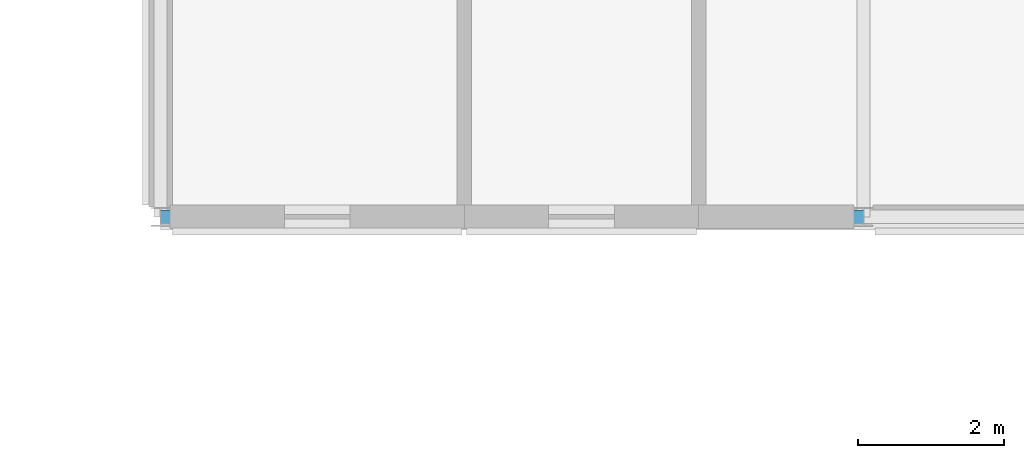
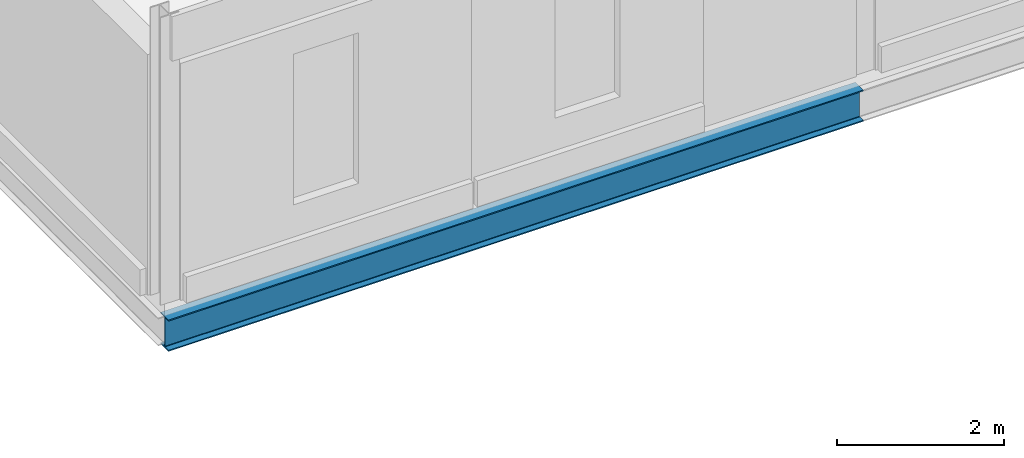
# One storey, part 100 of 170: 1 beam.
"""IFC4 building model written with IfcOpenShell, lengths in metres."""

from ifc_helpers import new_model, si_unit, direction, frame, origin, origin_2d, place, context, subcontext, project, spatial, i_section, extrude, material, material_profile, profile_set, type_object, element, save


model = new_model("IFC4")

# Units and contexts
model_context = context("Model", 3, precision=1e-05, world=origin(), true_north=direction((0.0, 1.0)))
body_context = subcontext(model_context, "Body", "Model", "MODEL_VIEW")
ifc_project = project(units=[si_unit("LENGTHUNIT", "METRE"), si_unit("AREAUNIT", "SQUARE_METRE"), si_unit("VOLUMEUNIT", "CUBIC_METRE"), si_unit("PLANEANGLEUNIT", "RADIAN"), si_unit("MASSUNIT", "GRAM", prefix="KILO")], contexts=[model_context])

# Site, building, storey
site_placement = place(None, origin())
site = spatial("IfcSite", under=ifc_project, at=site_placement, CompositionType="ELEMENT")
building_placement = place(site_placement, origin())
building = spatial("IfcBuilding", under=site, at=building_placement, Name="Vondelvale Polytechnic", CompositionType="ELEMENT")
storey_placement = place(building_placement, frame((0.0, 0.0, 5.39990234375)))
storey = spatial("IfcBuildingStorey", under=building, at=storey_placement, Name="L01", CompositionType="ELEMENT", Elevation=5.39990234375)

# Beam
ifc_material = material(Name="Steel 300PLUS (fy = 300 MPa)", Category="steel")
ifc_material_profile = material_profile(ifc_material, i_section(OverallWidth=0.19091796875, OverallDepth=0.4599609375, WebThickness=0.010009765625, FlangeThickness=0.01611328125, FilletRadius=0.011474609375, at=origin_2d()), Name="460UB82.1")
ifc_profile_set = profile_set([ifc_material_profile], Name="Steel 300PLUS (fy = 300 MPa)")
beam_type = type_object("IfcBeamType", Name="BM-UB460H", PredefinedType="BEAM", material=ifc_profile_set)
beam_placement = place(storey_placement, frame((153.60009765625, 51.0, -0.510009765625), z_axis=(1.0, 0.0, 0.0), x_axis=(0.0, 1.0, 0.0)))
element("IfcBeam", 1, at=beam_placement, inside=storey, type_object=beam_type, Name="L01 B B-12", PredefinedType="BEAM", context=body_context, shape_type="SweptSolid", body=[
    extrude(i_section(OverallWidth=0.19091796875, OverallDepth=0.4599609375, WebThickness=0.010009765625, FlangeThickness=0.01611328125, FilletRadius=0.011474609375, at=origin_2d()), origin(), (0.0, 0.0, 1.0), 9.599853515625),
])

save(model, "model.ifc")
